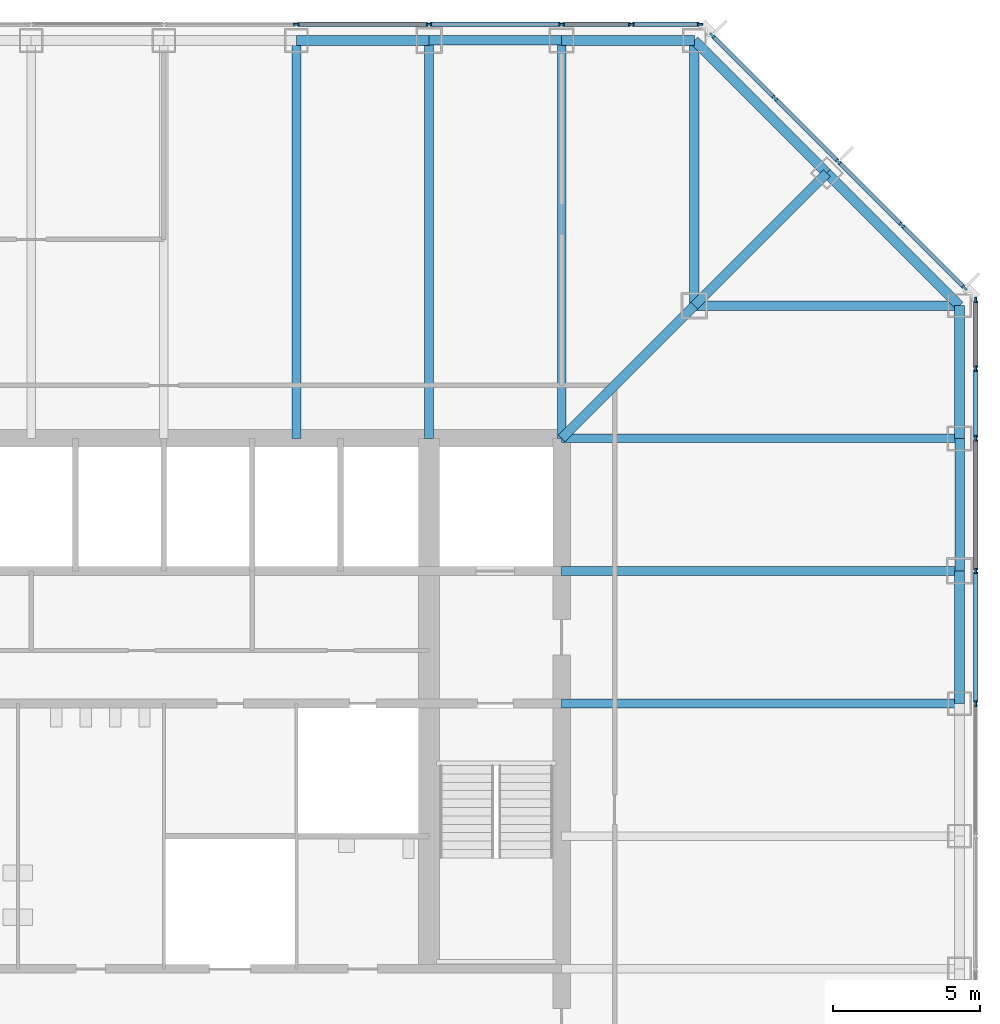
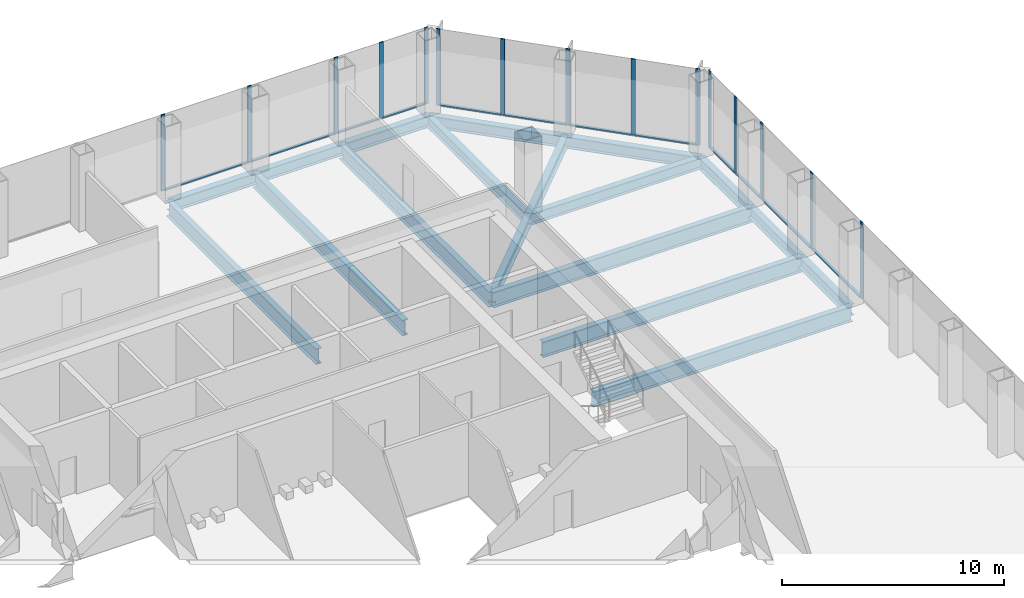
# One storey, part 6 of 12: 27 members, 18 beams, 3 elements without a shape of their own.
"""IFC4 building model written with IfcOpenShell, lengths in metres."""

from ifc_helpers import new_model, si_unit, direction, frame, origin, origin_2d, place, context, subcontext, project, spatial, rectangle, i_section, extrude, material, material_profile, profile_set, type_object, element, aggregate, save


model = new_model("IFC4")

# Units and contexts
model_context = context("Model", 3, precision=1e-05, world=origin(), true_north=direction((0.0, 1.0)))
body_context = subcontext(model_context, "Body", "Model", "MODEL_VIEW")
ifc_project = project(units=[si_unit("LENGTHUNIT", "METRE"), si_unit("AREAUNIT", "SQUARE_METRE"), si_unit("VOLUMEUNIT", "CUBIC_METRE"), si_unit("PLANEANGLEUNIT", "RADIAN"), si_unit("MASSUNIT", "GRAM", prefix="KILO")], contexts=[model_context])

# Site, building, storey
site_placement = place(None, origin())
site = spatial("IfcSite", under=ifc_project, at=site_placement, CompositionType="ELEMENT")
building_placement = place(site_placement, origin())
building = spatial("IfcBuilding", under=site, at=building_placement, Name="Corais Broadcast Tower", CompositionType="ELEMENT")
storey_placement = place(building_placement, frame((0.0, 0.0, 45.800048828125)))
storey = spatial("IfcBuildingStorey", under=building, at=storey_placement, Name="L09", CompositionType="ELEMENT", Elevation=45.800048828125)

# Beams
ifc_material_1 = material(Name="Steel ASTM A572 Grade 50", Category="steel")
ifc_material_profile_1 = material_profile(ifc_material_1, i_section(OverallWidth=0.323974609375, OverallDepth=0.611083984375, WebThickness=0.0126953125, FlangeThickness=0.01904296875, at=origin_2d()), Name="W610x155")
ifc_profile_set_1 = profile_set([ifc_material_profile_1], Name="Steel ASTM A572 Grade 50")
beam_type_1 = type_object("IfcBeamType", Name="Chamfer tie W610x155", PredefinedType="BEAM", material=ifc_profile_set_1)
beam_1_placement = place(storey_placement, frame((49.5, 49.5, -0.465576171875), z_axis=(-0.707106781187, -0.707106781187, 0.0), x_axis=(0.707106781187, -0.707106781187, 0.0)))
element("IfcBeam", 1, at=beam_1_placement, inside=storey, type_object=beam_type_1, Name="B5 M/14 to L/13", PredefinedType="BEAM", context=body_context, shape_type="SweptSolid", body=[
    extrude(i_section(OverallWidth=0.323974609375, OverallDepth=0.611083984375, WebThickness=0.0126953125, FlangeThickness=0.01904296875, at=origin_2d()), origin(), (0.0, 0.0, 1.0), 6.364013671875),
])
ifc_material_2 = material(Name="Steel ASTM A572 Grade 50", Category="steel")
ifc_material_profile_2 = material_profile(ifc_material_2, i_section(OverallWidth=0.323974609375, OverallDepth=0.611083984375, WebThickness=0.0126953125, FlangeThickness=0.01904296875, at=origin_2d()), Name="W610x155")
ifc_profile_set_2 = profile_set([ifc_material_profile_2], Name="Steel ASTM A572 Grade 50")
beam_type_2 = type_object("IfcBeamType", Name="Corner diagonal W610x155", PredefinedType="BEAM", material=ifc_profile_set_2)
beam_2_placement = place(storey_placement, frame((45.0, 45.0, -0.465576171875), z_axis=(-0.707106781187, -0.707106781187, 0.0), x_axis=(0.707106781187, -0.707106781187, 0.0)))
element("IfcBeam", 2, at=beam_2_placement, inside=storey, type_object=beam_type_2, Name="B6 L/13 to K/12", PredefinedType="BEAM", context=body_context, shape_type="SweptSolid", body=[
    extrude(i_section(OverallWidth=0.323974609375, OverallDepth=0.611083984375, WebThickness=0.0126953125, FlangeThickness=0.01904296875, at=origin_2d()), origin(), (0.0, 0.0, 1.0), 6.364013671875),
])
ifc_material_3 = material(Name="Steel ASTM A572 Grade 50", Category="steel")
ifc_material_profile_3 = material_profile(ifc_material_3, i_section(OverallWidth=0.323974609375, OverallDepth=0.611083984375, WebThickness=0.0126953125, FlangeThickness=0.01904296875, at=origin_2d()), Name="W610x155")
ifc_profile_set_3 = profile_set([ifc_material_profile_3], Name="Steel ASTM A572 Grade 50")
beam_type_3 = type_object("IfcBeamType", Name="Corner girder W610x155", PredefinedType="BEAM", material=ifc_profile_set_3)
for number, where, z_axis, x_axis, name in (
    (3, (45.0, 54.0, -0.465576171875), (0.0, -1.0, 0.0), (1.0, 0.0, 0.0), "B4 N/13 to L/13"),
    (4, (54.0, 45.0, -0.465576171875), (-1.0, 0.0, 0.0), (0.0, -1.0, 0.0), "B4 L/15 to L/13"),
):
    element("IfcBeam", number, at=place(storey_placement, frame(where, z_axis=z_axis, x_axis=x_axis)), inside=storey, type_object=beam_type_3, Name=name, PredefinedType="BEAM", context=body_context, shape_type="SweptSolid", body=[
        extrude(i_section(OverallWidth=0.323974609375, OverallDepth=0.611083984375, WebThickness=0.0126953125, FlangeThickness=0.01904296875, at=origin_2d()), origin(), (0.0, 0.0, 1.0), 9.0),
    ])
ifc_material_4 = material(Name="Steel ASTM A572 Grade 50", Category="steel")
ifc_material_profile_4 = material_profile(ifc_material_4, i_section(OverallWidth=0.2939453125, OverallDepth=0.85107421875, WebThickness=0.01611328125, FlangeThickness=0.02685546875, at=origin_2d()), Name="W840x226")
ifc_profile_set_4 = profile_set([ifc_material_profile_4], Name="Steel ASTM A572 Grade 50")
beam_type_4 = type_object("IfcBeamType", Name="Floor beam W840x226", PredefinedType="BEAM", material=ifc_profile_set_4)
for number, where, z_axis, x_axis, name in (
    (5, (31.5, 54.0, -0.58544921875), (0.0, -1.0, 0.0), (1.0, 0.0, 0.0), "B1 N/10 to K/10"),
    (6, (36.0, 54.0, -0.58544921875), (0.0, -1.0, 0.0), (1.0, 0.0, 0.0), "B1 N/11 to K/11"),
    (7, (40.5, 54.0, -0.58544921875), (0.0, -1.0, 0.0), (1.0, 0.0, 0.0), "B1 N/12 to K/12"),
    (8, (54.0, 31.5, -0.58544921875), (-1.0, 0.0, 0.0), (0.0, -1.0, 0.0), "B1 H/15 to H/12"),
    (9, (54.0, 36.0, -0.58544921875), (-1.0, 0.0, 0.0), (0.0, -1.0, 0.0), "B1 J/15 to J/12"),
    (10, (54.0, 40.5, -0.58544921875), (-1.0, 0.0, 0.0), (0.0, -1.0, 0.0), "B1 K/15 to K/12"),
):
    element("IfcBeam", number, at=place(storey_placement, frame(where, z_axis=z_axis, x_axis=x_axis)), inside=storey, type_object=beam_type_4, Name=name, PredefinedType="BEAM", context=body_context, shape_type="SweptSolid", body=[
        extrude(i_section(OverallWidth=0.2939453125, OverallDepth=0.85107421875, WebThickness=0.01611328125, FlangeThickness=0.02685546875, at=origin_2d()), origin(), (0.0, 0.0, 1.0), 13.5),
    ])

# Curtain wall, members
ifc_material_5 = material(Name="Aluminium and glass", Category="aluminium")
curtain_wall_type = type_object("IfcCurtainWallType", Name="Unitised fritted curtain wall CW1", PredefinedType="NOTDEFINED", material=ifc_material_5)
curtain_wall_1_placement = place(storey_placement, origin())
curtain_wall_1 = element("IfcCurtainWall", 11, at=curtain_wall_1_placement, inside=storey, type_object=curtain_wall_type, Name="CW1 curtain wall L09 4", PredefinedType="NOTDEFINED")
ifc_material_6 = material(Name="Aluminium 6063-T6", Category="aluminium")
ifc_material_profile_5 = material_profile(ifc_material_6, rectangle(XDim=0.06494140625, YDim=0.199951171875, at=origin_2d()), Name="Mullion CW1 65x200")
ifc_profile_set_5 = profile_set([ifc_material_profile_5], Name="Aluminium 6063-T6")
member_type_1 = type_object("IfcMemberType", Name="Mullion CW1 65x200", PredefinedType="MULLION", material=ifc_profile_set_5)
member_1_placement = place(storey_placement, frame((31.5, 54.550048828125, 0.0), z_axis=(0.0, 0.0, 1.0), x_axis=(0.0, 1.0, 0.0)))
member_1 = element("IfcMember", 12, at=member_1_placement, type_object=member_type_1, Name="CW1 mullion 7", PredefinedType="MULLION", context=body_context, shape_type="SweptSolid", body=[
    extrude(rectangle(XDim=0.06494140625, YDim=0.199951171875, at=origin_2d()), origin(), (0.0, 0.0, 1.0), 4.199951171875),
])
member_2_placement = place(storey_placement, frame((36.0, 54.550048828125, 0.0), z_axis=(0.0, 0.0, 1.0), x_axis=(0.0, 1.0, 0.0)))
member_2 = element("IfcMember", 13, at=member_2_placement, type_object=member_type_1, Name="CW1 mullion 8", PredefinedType="MULLION", context=body_context, shape_type="SweptSolid", body=[
    extrude(rectangle(XDim=0.06494140625, YDim=0.199951171875, at=origin_2d()), origin(), (0.0, 0.0, 1.0), 4.199951171875),
])
member_3_placement = place(storey_placement, frame((40.5, 54.550048828125, 0.0), z_axis=(0.0, 0.0, 1.0), x_axis=(0.0, 1.0, 0.0)))
member_3 = element("IfcMember", 14, at=member_3_placement, type_object=member_type_1, Name="CW1 mullion 9", PredefinedType="MULLION", context=body_context, shape_type="SweptSolid", body=[
    extrude(rectangle(XDim=0.06494140625, YDim=0.199951171875, at=origin_2d()), origin(), (0.0, 0.0, 1.0), 4.199951171875),
])
member_4_placement = place(storey_placement, frame((42.864013671875, 54.550048828125, 0.0), z_axis=(0.0, 0.0, 1.0), x_axis=(0.0, 1.0, 0.0)))
member_4 = element("IfcMember", 15, at=member_4_placement, type_object=member_type_1, Name="CW1 mullion 10", PredefinedType="MULLION", context=body_context, shape_type="SweptSolid", body=[
    extrude(rectangle(XDim=0.06494140625, YDim=0.199951171875, at=origin_2d()), origin(), (0.0, 0.0, 1.0), 4.199951171875),
])
member_5_placement = place(storey_placement, frame((45.1953125, 54.550048828125, 0.0), z_axis=(0.0, 0.0, 1.0), x_axis=(0.0, 1.0, 0.0)))
member_5 = element("IfcMember", 16, at=member_5_placement, type_object=member_type_1, Name="CW1 mullion 11", PredefinedType="MULLION", context=body_context, shape_type="SweptSolid", body=[
    extrude(rectangle(XDim=0.06494140625, YDim=0.199951171875, at=origin_2d()), origin(), (0.0, 0.0, 1.0), 4.199951171875),
])

curtain_wall_2_placement = place(storey_placement, origin())
curtain_wall_2 = element("IfcCurtainWall", 17, at=curtain_wall_2_placement, inside=storey, type_object=curtain_wall_type, Name="CW1 curtain wall L09 5", PredefinedType="NOTDEFINED")
member_6_placement = place(storey_placement, frame((45.6044921875, 54.17333984375, 0.0), z_axis=(0.0, 0.0, 1.0), x_axis=(0.707106781187, 0.707106781187, 0.0)))
member_6 = element("IfcMember", 18, at=member_6_placement, type_object=member_type_1, Name="CW1 mullion 1", PredefinedType="MULLION", context=body_context, shape_type="SweptSolid", body=[
    extrude(rectangle(XDim=0.06494140625, YDim=0.199951171875, at=origin_2d()), origin(), (0.0, 0.0, 1.0), 4.199951171875),
])
member_7_placement = place(storey_placement, frame((47.735107421875, 52.042724609375, 0.0), z_axis=(0.0, 0.0, 1.0), x_axis=(0.707106781187, 0.707106781187, 0.0)))
member_7 = element("IfcMember", 19, at=member_7_placement, type_object=member_type_1, Name="CW1 mullion 2", PredefinedType="MULLION", context=body_context, shape_type="SweptSolid", body=[
    extrude(rectangle(XDim=0.06494140625, YDim=0.199951171875, at=origin_2d()), origin(), (0.0, 0.0, 1.0), 4.199951171875),
])
member_8_placement = place(storey_placement, frame((49.888916015625, 49.888916015625, 0.0), z_axis=(0.0, 0.0, 1.0), x_axis=(0.707106781187, 0.707106781187, 0.0)))
member_8 = element("IfcMember", 20, at=member_8_placement, type_object=member_type_1, Name="CW1 mullion 3", PredefinedType="MULLION", context=body_context, shape_type="SweptSolid", body=[
    extrude(rectangle(XDim=0.06494140625, YDim=0.199951171875, at=origin_2d()), origin(), (0.0, 0.0, 1.0), 4.199951171875),
])
member_9_placement = place(storey_placement, frame((52.042724609375, 47.735107421875, 0.0), z_axis=(0.0, 0.0, 1.0), x_axis=(0.707106781187, 0.707106781187, 0.0)))
member_9 = element("IfcMember", 21, at=member_9_placement, type_object=member_type_1, Name="CW1 mullion 4", PredefinedType="MULLION", context=body_context, shape_type="SweptSolid", body=[
    extrude(rectangle(XDim=0.06494140625, YDim=0.199951171875, at=origin_2d()), origin(), (0.0, 0.0, 1.0), 4.199951171875),
])
member_10_placement = place(storey_placement, frame((54.17333984375, 45.6044921875, 0.0), z_axis=(0.0, 0.0, 1.0), x_axis=(0.707106781187, 0.707106781187, 0.0)))
member_10 = element("IfcMember", 22, at=member_10_placement, type_object=member_type_1, Name="CW1 mullion 5", PredefinedType="MULLION", context=body_context, shape_type="SweptSolid", body=[
    extrude(rectangle(XDim=0.06494140625, YDim=0.199951171875, at=origin_2d()), origin(), (0.0, 0.0, 1.0), 4.199951171875),
])

curtain_wall_3_placement = place(storey_placement, origin())
curtain_wall_3 = element("IfcCurtainWall", 23, at=curtain_wall_3_placement, inside=storey, type_object=curtain_wall_type, Name="CW1 curtain wall L09 6", PredefinedType="NOTDEFINED")
member_11_placement = place(storey_placement, frame((54.550048828125, 45.1953125, 0.0), z_axis=(0.0, 0.0, 1.0), x_axis=(1.0, 0.0, 0.0)))
member_11 = element("IfcMember", 24, at=member_11_placement, type_object=member_type_1, Name="CW1 mullion 1", PredefinedType="MULLION", context=body_context, shape_type="SweptSolid", body=[
    extrude(rectangle(XDim=0.06494140625, YDim=0.199951171875, at=origin_2d()), origin(), (0.0, 0.0, 1.0), 4.199951171875),
])
member_12_placement = place(storey_placement, frame((54.550048828125, 42.864013671875, 0.0), z_axis=(0.0, 0.0, 1.0), x_axis=(1.0, 0.0, 0.0)))
member_12 = element("IfcMember", 25, at=member_12_placement, type_object=member_type_1, Name="CW1 mullion 2", PredefinedType="MULLION", context=body_context, shape_type="SweptSolid", body=[
    extrude(rectangle(XDim=0.06494140625, YDim=0.199951171875, at=origin_2d()), origin(), (0.0, 0.0, 1.0), 4.199951171875),
])
member_13_placement = place(storey_placement, frame((54.550048828125, 40.5, 0.0), z_axis=(0.0, 0.0, 1.0), x_axis=(1.0, 0.0, 0.0)))
member_13 = element("IfcMember", 26, at=member_13_placement, type_object=member_type_1, Name="CW1 mullion 3", PredefinedType="MULLION", context=body_context, shape_type="SweptSolid", body=[
    extrude(rectangle(XDim=0.06494140625, YDim=0.199951171875, at=origin_2d()), origin(), (0.0, 0.0, 1.0), 4.199951171875),
])
member_14_placement = place(storey_placement, frame((54.550048828125, 36.0, 0.0), z_axis=(0.0, 0.0, 1.0), x_axis=(1.0, 0.0, 0.0)))
member_14 = element("IfcMember", 27, at=member_14_placement, type_object=member_type_1, Name="CW1 mullion 4", PredefinedType="MULLION", context=body_context, shape_type="SweptSolid", body=[
    extrude(rectangle(XDim=0.06494140625, YDim=0.199951171875, at=origin_2d()), origin(), (0.0, 0.0, 1.0), 4.199951171875),
])
member_15_placement = place(storey_placement, frame((54.550048828125, 31.5, 0.0), z_axis=(0.0, 0.0, 1.0), x_axis=(1.0, 0.0, 0.0)))
member_15 = element("IfcMember", 28, at=member_15_placement, type_object=member_type_1, Name="CW1 mullion 5", PredefinedType="MULLION", context=body_context, shape_type="SweptSolid", body=[
    extrude(rectangle(XDim=0.06494140625, YDim=0.199951171875, at=origin_2d()), origin(), (0.0, 0.0, 1.0), 4.199951171875),
])

# Beams
ifc_material_7 = material(Name="Steel ASTM A572 Grade 50", Category="steel")
ifc_material_profile_6 = material_profile(ifc_material_7, i_section(OverallWidth=0.323974609375, OverallDepth=0.611083984375, WebThickness=0.0126953125, FlangeThickness=0.01904296875, at=origin_2d()), Name="W610x155")
ifc_profile_set_6 = profile_set([ifc_material_profile_6], Name="Steel ASTM A572 Grade 50")
beam_type_5 = type_object("IfcBeamType", Name="Pinned spandrel W610x155", PredefinedType="BEAM", material=ifc_profile_set_6)
for number, where, z_axis, x_axis, name in (
    (29, (40.5, 54.0, -0.465576171875), (-1.0, 0.0, 0.0), (0.0, -1.0, 0.0), "SB6 N/12 to N/11"),
    (30, (54.0, 36.0, -0.465576171875), (0.0, 1.0, 0.0), (-1.0, 0.0, 0.0), "SB6 J/15 to K/15"),
):
    element("IfcBeam", number, at=place(storey_placement, frame(where, z_axis=z_axis, x_axis=x_axis)), inside=storey, type_object=beam_type_5, Name=name, PredefinedType="BEAM", context=body_context, shape_type="SweptSolid", body=[
        extrude(i_section(OverallWidth=0.323974609375, OverallDepth=0.611083984375, WebThickness=0.0126953125, FlangeThickness=0.01904296875, at=origin_2d()), origin(), (0.0, 0.0, 1.0), 4.5),
    ])
ifc_material_8 = material(Name="Steel ASTM A572 Grade 50", Category="steel")
ifc_material_profile_7 = material_profile(ifc_material_8, i_section(OverallWidth=0.3291015625, OverallDepth=0.635009765625, WebThickness=0.017822265625, FlangeThickness=0.031005859375, at=origin_2d()), Name="W610x241")
ifc_profile_set_7 = profile_set([ifc_material_profile_7], Name="Steel ASTM A572 Grade 50")
beam_type_6 = type_object("IfcBeamType", Name="Spandrel W610x241", PredefinedType="BEAM", material=ifc_profile_set_7)
for number, where, z_axis, x_axis, name in (
    (31, (36.0, 54.0, -0.4775390625), (-1.0, 0.0, 0.0), (0.0, -1.0, 0.0), "SB1 N/11 to N/10"),
    (32, (45.0, 54.0, -0.4775390625), (-1.0, 0.0, 0.0), (0.0, -1.0, 0.0), "SB1 N/13 to N/12"),
):
    element("IfcBeam", number, at=place(storey_placement, frame(where, z_axis=z_axis, x_axis=x_axis)), inside=storey, type_object=beam_type_6, Name=name, PredefinedType="BEAM", context=body_context, shape_type="SweptSolid", body=[
        extrude(i_section(OverallWidth=0.3291015625, OverallDepth=0.635009765625, WebThickness=0.017822265625, FlangeThickness=0.031005859375, at=origin_2d()), origin(), (0.0, 0.0, 1.0), 4.5),
    ])
beam_3_placement = place(storey_placement, frame((49.5, 49.5, -0.4775390625), z_axis=(-0.707106781187, 0.707106781187, 0.0), x_axis=(-0.707106781187, -0.707106781187, 0.0)))
element("IfcBeam", 33, at=beam_3_placement, inside=storey, type_object=beam_type_6, Name="SB1 M/14 to N/13", PredefinedType="BEAM", context=body_context, shape_type="SweptSolid", body=[
    extrude(i_section(OverallWidth=0.3291015625, OverallDepth=0.635009765625, WebThickness=0.017822265625, FlangeThickness=0.031005859375, at=origin_2d()), origin(), (0.0, 0.0, 1.0), 6.364013671875),
])
for number, where, z_axis, x_axis, name in (
    (34, (54.0, 31.5, -0.4775390625), (0.0, 1.0, 0.0), (-1.0, 0.0, 0.0), "SB1 H/15 to J/15"),
    (35, (54.0, 40.5, -0.4775390625), (0.0, 1.0, 0.0), (-1.0, 0.0, 0.0), "SB1 K/15 to L/15"),
):
    element("IfcBeam", number, at=place(storey_placement, frame(where, z_axis=z_axis, x_axis=x_axis)), inside=storey, type_object=beam_type_6, Name=name, PredefinedType="BEAM", context=body_context, shape_type="SweptSolid", body=[
        extrude(i_section(OverallWidth=0.3291015625, OverallDepth=0.635009765625, WebThickness=0.017822265625, FlangeThickness=0.031005859375, at=origin_2d()), origin(), (0.0, 0.0, 1.0), 4.5),
    ])
beam_4_placement = place(storey_placement, frame((54.0, 45.0, -0.4775390625), z_axis=(-0.707106781187, 0.707106781187, 0.0), x_axis=(-0.707106781187, -0.707106781187, 0.0)))
element("IfcBeam", 36, at=beam_4_placement, inside=storey, type_object=beam_type_6, Name="SB1 L/15 to M/14", PredefinedType="BEAM", context=body_context, shape_type="SweptSolid", body=[
    extrude(i_section(OverallWidth=0.3291015625, OverallDepth=0.635009765625, WebThickness=0.017822265625, FlangeThickness=0.031005859375, at=origin_2d()), origin(), (0.0, 0.0, 1.0), 6.364013671875),
])

# Member
ifc_material_9 = material(Name="Aluminium 6063-T6", Category="aluminium")
ifc_material_profile_8 = material_profile(ifc_material_9, rectangle(XDim=0.139892578125, YDim=0.06494140625, at=origin_2d()), Name="Transom CW1 65x140")
ifc_profile_set_8 = profile_set([ifc_material_profile_8], Name="Aluminium 6063-T6")
member_type_2 = type_object("IfcMemberType", Name="Transom CW1 65x140", PredefinedType="USERDEFINED", material=ifc_profile_set_8)
member_16_placement = place(storey_placement, frame((31.532470703125, 54.550048828125, 0.032470703125), z_axis=(1.0, 0.0, 0.0), x_axis=(0.0, 1.0, 0.0)))
member_16 = element("IfcMember", 37, at=member_16_placement, type_object=member_type_2, Name="CW1 transom 7.1", ObjectType="TRANSOM", PredefinedType="USERDEFINED", context=body_context, shape_type="SweptSolid", body=[
    extrude(rectangle(XDim=0.139892578125, YDim=0.06494140625, at=origin_2d()), origin(), (0.0, 0.0, 1.0), 4.43505859375),
])

member_17_placement = place(storey_placement, frame((36.032470703125, 54.550048828125, 0.032470703125), z_axis=(1.0, 0.0, 0.0), x_axis=(0.0, 1.0, 0.0)))
member_17 = element("IfcMember", 38, at=member_17_placement, type_object=member_type_2, Name="CW1 transom 8.1", ObjectType="TRANSOM", PredefinedType="USERDEFINED", context=body_context, shape_type="SweptSolid", body=[
    extrude(rectangle(XDim=0.139892578125, YDim=0.06494140625, at=origin_2d()), origin(), (0.0, 0.0, 1.0), 4.43505859375),
])

member_18_placement = place(storey_placement, frame((40.532470703125, 54.550048828125, 0.032470703125), z_axis=(1.0, 0.0, 0.0), x_axis=(0.0, 1.0, 0.0)))
member_18 = element("IfcMember", 39, at=member_18_placement, type_object=member_type_2, Name="CW1 transom 9.1", ObjectType="TRANSOM", PredefinedType="USERDEFINED", context=body_context, shape_type="SweptSolid", body=[
    extrude(rectangle(XDim=0.139892578125, YDim=0.06494140625, at=origin_2d()), origin(), (0.0, 0.0, 1.0), 2.298828125),
])

member_19_placement = place(storey_placement, frame((42.896484375, 54.550048828125, 0.032470703125), z_axis=(1.0, 0.0, 0.0), x_axis=(0.0, 1.0, 0.0)))
member_19 = element("IfcMember", 40, at=member_19_placement, type_object=member_type_2, Name="CW1 transom 10.1", ObjectType="TRANSOM", PredefinedType="USERDEFINED", context=body_context, shape_type="SweptSolid", body=[
    extrude(rectangle(XDim=0.139892578125, YDim=0.06494140625, at=origin_2d()), origin(), (0.0, 0.0, 1.0), 2.266357421875),
])

aggregate(curtain_wall_1, [member_1, member_2, member_3, member_4, member_5, member_16, member_17, member_18, member_19])

member_20_placement = place(storey_placement, frame((45.62744140625, 54.150390625, 0.032470703125), z_axis=(0.707106781187, -0.707106781187, 0.0), x_axis=(0.707106781187, 0.707106781187, 0.0)))
member_20 = element("IfcMember", 41, at=member_20_placement, type_object=member_type_2, Name="CW1 transom 1.1", ObjectType="TRANSOM", PredefinedType="USERDEFINED", context=body_context, shape_type="SweptSolid", body=[
    extrude(rectangle(XDim=0.139892578125, YDim=0.06494140625, at=origin_2d()), origin(), (0.0, 0.0, 1.0), 2.9482421875),
])

member_21_placement = place(storey_placement, frame((47.758056640625, 52.019775390625, 0.032470703125), z_axis=(0.707106781187, -0.707106781187, 0.0), x_axis=(0.707106781187, 0.707106781187, 0.0)))
member_21 = element("IfcMember", 42, at=member_21_placement, type_object=member_type_2, Name="CW1 transom 2.1", ObjectType="TRANSOM", PredefinedType="USERDEFINED", context=body_context, shape_type="SweptSolid", body=[
    extrude(rectangle(XDim=0.139892578125, YDim=0.06494140625, at=origin_2d()), origin(), (0.0, 0.0, 1.0), 2.98095703125),
])

member_22_placement = place(storey_placement, frame((49.911865234375, 49.865966796875, 0.032470703125), z_axis=(0.707106781187, -0.707106781187, 0.0), x_axis=(0.707106781187, 0.707106781187, 0.0)))
member_22 = element("IfcMember", 43, at=member_22_placement, type_object=member_type_2, Name="CW1 transom 3.1", ObjectType="TRANSOM", PredefinedType="USERDEFINED", context=body_context, shape_type="SweptSolid", body=[
    extrude(rectangle(XDim=0.139892578125, YDim=0.06494140625, at=origin_2d()), origin(), (0.0, 0.0, 1.0), 2.98095703125),
])

member_23_placement = place(storey_placement, frame((52.065673828125, 47.712158203125, 0.032470703125), z_axis=(0.707106781187, -0.707106781187, 0.0), x_axis=(0.707106781187, 0.707106781187, 0.0)))
member_23 = element("IfcMember", 44, at=member_23_placement, type_object=member_type_2, Name="CW1 transom 4.1", ObjectType="TRANSOM", PredefinedType="USERDEFINED", context=body_context, shape_type="SweptSolid", body=[
    extrude(rectangle(XDim=0.139892578125, YDim=0.06494140625, at=origin_2d()), origin(), (0.0, 0.0, 1.0), 2.9482421875),
])

aggregate(curtain_wall_2, [member_6, member_7, member_8, member_9, member_10, member_20, member_21, member_22, member_23])

member_24_placement = place(storey_placement, frame((54.550048828125, 45.162841796875, 0.032470703125), z_axis=(0.0, -1.0, 0.0), x_axis=(1.0, 0.0, 0.0)))
member_24 = element("IfcMember", 45, at=member_24_placement, type_object=member_type_2, Name="CW1 transom 1.1", ObjectType="TRANSOM", PredefinedType="USERDEFINED", context=body_context, shape_type="SweptSolid", body=[
    extrude(rectangle(XDim=0.139892578125, YDim=0.06494140625, at=origin_2d()), origin(), (0.0, 0.0, 1.0), 2.266357421875),
])

member_25_placement = place(storey_placement, frame((54.550048828125, 42.831298828125, 0.032470703125), z_axis=(0.0, -1.0, 0.0), x_axis=(1.0, 0.0, 0.0)))
member_25 = element("IfcMember", 46, at=member_25_placement, type_object=member_type_2, Name="CW1 transom 2.1", ObjectType="TRANSOM", PredefinedType="USERDEFINED", context=body_context, shape_type="SweptSolid", body=[
    extrude(rectangle(XDim=0.139892578125, YDim=0.06494140625, at=origin_2d()), origin(), (0.0, 0.0, 1.0), 2.298828125),
])

member_26_placement = place(storey_placement, frame((54.550048828125, 40.467529296875, 0.032470703125), z_axis=(0.0, -1.0, 0.0), x_axis=(1.0, 0.0, 0.0)))
member_26 = element("IfcMember", 47, at=member_26_placement, type_object=member_type_2, Name="CW1 transom 3.1", ObjectType="TRANSOM", PredefinedType="USERDEFINED", context=body_context, shape_type="SweptSolid", body=[
    extrude(rectangle(XDim=0.139892578125, YDim=0.06494140625, at=origin_2d()), origin(), (0.0, 0.0, 1.0), 4.43505859375),
])

member_27_placement = place(storey_placement, frame((54.550048828125, 35.967529296875, 0.032470703125), z_axis=(0.0, -1.0, 0.0), x_axis=(1.0, 0.0, 0.0)))
member_27 = element("IfcMember", 48, at=member_27_placement, type_object=member_type_2, Name="CW1 transom 4.1", ObjectType="TRANSOM", PredefinedType="USERDEFINED", context=body_context, shape_type="SweptSolid", body=[
    extrude(rectangle(XDim=0.139892578125, YDim=0.06494140625, at=origin_2d()), origin(), (0.0, 0.0, 1.0), 4.43505859375),
])

aggregate(curtain_wall_3, [member_11, member_12, member_13, member_14, member_15, member_24, member_25, member_26, member_27])

save(model, "model.ifc")
